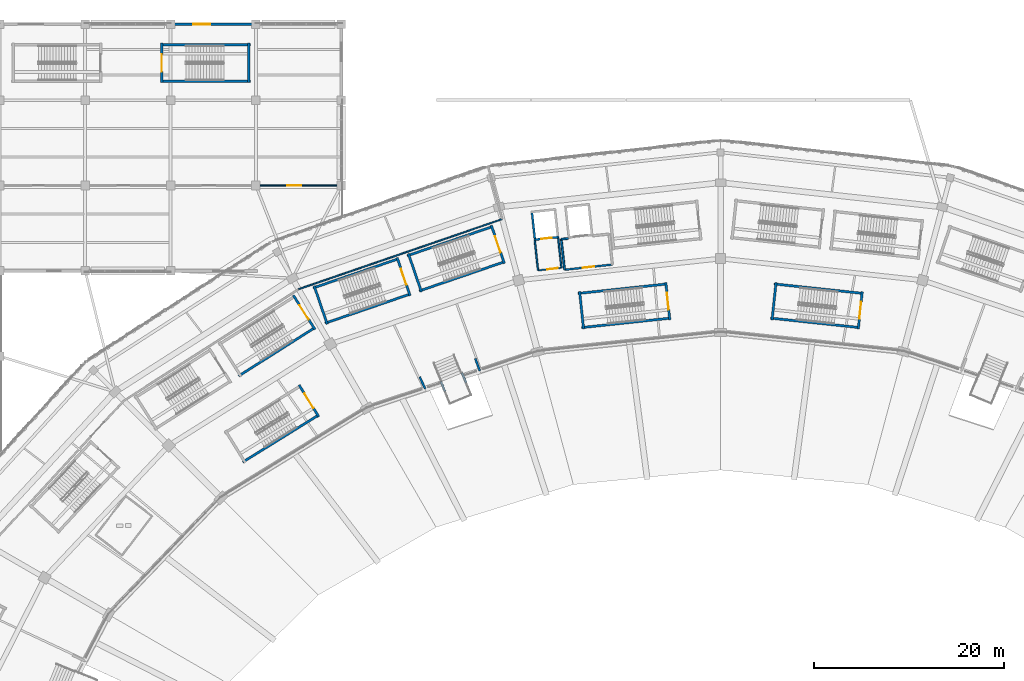
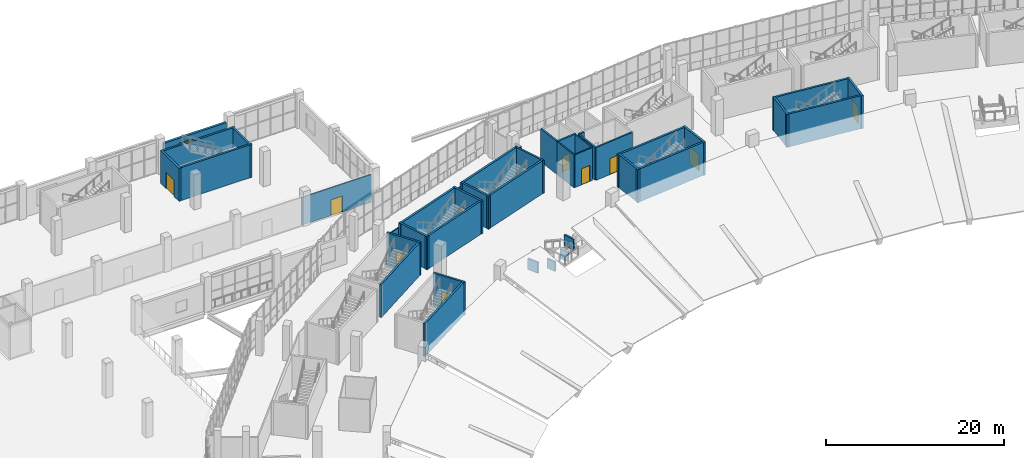
# One storey, part 109 of 183: 39 walls, 11 doors, 1 window, 12 openings.
"""IFC4 building model written with IfcOpenShell, lengths in metres."""

from ifc_helpers import new_model, si_unit, direction, frame, frame_2d, origin, place, context, subcontext, project, spatial, rectangle, extrude, material, layer, layer_set, type_object, element, fill, save


model = new_model("IFC4")

# Units and contexts
model_context = context("Model", 3, precision=1e-05, world=origin(), true_north=direction((0.0, 1.0)))
body_context = subcontext(model_context, "Body", "Model", "MODEL_VIEW")
ifc_project = project(units=[si_unit("LENGTHUNIT", "METRE"), si_unit("AREAUNIT", "SQUARE_METRE"), si_unit("VOLUMEUNIT", "CUBIC_METRE"), si_unit("PLANEANGLEUNIT", "RADIAN"), si_unit("MASSUNIT", "GRAM", prefix="KILO")], contexts=[model_context])

# Site, building, storey
site_placement = place(None, origin())
site = spatial("IfcSite", under=ifc_project, at=site_placement, CompositionType="ELEMENT")
building_placement = place(site_placement, origin())
building = spatial("IfcBuilding", under=site, at=building_placement, Name="Zevraka Park Crest Stadium", CompositionType="ELEMENT")
storey_placement = place(building_placement, frame((0.0, 0.0, 5.39990234375)))
storey = spatial("IfcBuildingStorey", under=building, at=storey_placement, Name="L01", CompositionType="ELEMENT", Elevation=5.39990234375)

# Wall, opening, window
ifc_material_1 = material(Name="Limestone and red clay brick masonry", Category="masonry")
ifc_layer_1 = layer(ifc_material_1, 0.300048828125)
ifc_layer_set_1 = layer_set([ifc_layer_1], Name="Limestone and red clay brick masonry")
wall_type_1 = type_object("IfcWallType", Name="EW02", PredefinedType="STANDARD", material=ifc_layer_set_1)
wall_1_placement = place(storey_placement, frame((54.425048828125, 184.0, 0.0), z_axis=(0.0, 0.0, 1.0), x_axis=(1.0, 0.0, 0.0)))
wall_1 = element("IfcWall", 1, at=wall_1_placement, inside=storey, type_object=wall_type_1, Name="Wing External Cavity Wall EW02 L01-NW-N-7", PredefinedType="STANDARD", context=body_context, shape_type="SweptSolid", body=[
    extrude(rectangle(XDim=8.14990234375, YDim=0.300048828125, at=frame_2d((4.074951171875, 0.0))), origin(), (0.0, 0.0, 1.0), 3.8037109375),
])
opening_1_placement = place(wall_1_placement, frame((1.952880859375, 0.0, 0.949951171875)))
opening_1 = element("IfcOpeningElement", 2, at=opening_1_placement, cuts=wall_1, Name="Opening WN01", PredefinedType="OPENING", context=body_context, shape_type="SweptSolid", body=[
    extrude(rectangle(XDim=1.800048828125, YDim=2.199951171875, at=frame_2d((0.89990234375, 1.10009765625))), frame((0.0, 0.159912109375, 0.0), z_axis=(0.0, -1.0, 0.0), x_axis=(1.0, 0.0, 0.0)), (0.0, 0.0, 1.0), 0.320068359375),
])
ifc_material_2 = material(Name="Solar-control laminated double glazing in aluminium frame", Category="aluminium")
window_type = type_object("IfcWindowType", Name="WN01", PartitioningType="SINGLE_PANEL", PredefinedType="WINDOW", material=ifc_material_2)
window_placement = place(opening_1_placement, origin())
window = element("IfcWindow", 3, at=window_placement, inside=storey, type_object=window_type, Name="Facade Casement Window WN01 W-L01-042", OverallHeight=2.199951171875, OverallWidth=1.800048828125, PartitioningType="SINGLE_PANEL", PredefinedType="WINDOW", context=body_context, shape_type="SweptSolid", body=[
    extrude(rectangle(XDim=1.800048828125, YDim=2.199951171875, at=frame_2d((0.89990234375, 1.10009765625))), frame((0.0, 0.030029296875, 0.0), z_axis=(0.0, -1.0, 0.0), x_axis=(1.0, 0.0, 0.0)), (0.0, 0.0, 1.0), 0.06005859375),
])
fill(opening_1, window)

# Walls
ifc_material_3 = material(Name="Autoclaved aerated masonry blockwork", Category="masonry")
ifc_layer_2 = layer(ifc_material_3, 0.199951171875)
ifc_layer_set_2 = layer_set([ifc_layer_2], Name="Autoclaved aerated masonry blockwork")
wall_type_2 = type_object("IfcWallType", Name="IW01", PredefinedType="PARTITIONING", material=ifc_layer_set_2)
wall_2_placement = place(storey_placement, frame((95.195068359375, 161.3349609375, 0.0), z_axis=(0.0, 0.0, 1.0), x_axis=(0.994146742738, 0.108038205757, 0.0)))
element("IfcWall", 4, at=wall_2_placement, inside=storey, type_object=wall_type_2, Name="Firefighting Lift Lobby Wall IW01 FL02 L01 BACKL", PredefinedType="PARTITIONING", context=body_context, shape_type="SweptSolid", body=[
    extrude(rectangle(XDim=0.750244140625, YDim=0.199951171875, at=frame_2d((0.375, 0.0))), origin(), (0.0, 0.0, 1.0), 4.5),
])
wall_3_placement = place(storey_placement, frame((95.195068359375, 161.3349609375, 0.0), z_axis=(0.0, 0.0, 1.0), x_axis=(0.108280975823, -0.994120329877, 0.0)))
element("IfcWall", 5, at=wall_3_placement, inside=storey, type_object=wall_type_2, Name="Firefighting Lift Lobby Wall IW01 FL02 L01 LEFT", PredefinedType="PARTITIONING", context=body_context, shape_type="SweptSolid", body=[
    extrude(rectangle(XDim=3.239990234375, YDim=0.199951171875, at=frame_2d((1.6201171875, 0.0))), origin(), (0.0, 0.0, 1.0), 4.5),
])

# Wall, opening, door
wall_4_placement = place(storey_placement, frame((95.5458984375, 158.114013671875, 0.0), z_axis=(0.0, 0.0, 1.0), x_axis=(0.994118117986, 0.108301281116, 0.0)))
wall_4 = element("IfcWall", 6, at=wall_4_placement, inside=storey, type_object=wall_type_2, Name="Firefighting Lift Lobby Wall IW01 FL02 L01 FRONT", PredefinedType="PARTITIONING", context=body_context, shape_type="SweptSolid", body=[
    extrude(rectangle(XDim=5.06982421875, YDim=0.199951171875, at=frame_2d((2.534912109375, 0.0))), origin(), (0.0, 0.0, 1.0), 4.5),
])
opening_2_placement = place(wall_4_placement, frame((1.909912109375, 0.0, 0.0)))
opening_2 = element("IfcOpeningElement", 7, at=opening_2_placement, cuts=wall_4, Name="Opening D-L01-296", PredefinedType="OPENING", context=body_context, shape_type="SweptSolid", body=[
    extrude(rectangle(XDim=1.25, YDim=2.199951171875, at=frame_2d((0.625, 1.10009765625))), frame((0.0, 0.10986328125, 0.0), z_axis=(0.0, -1.0, 0.0), x_axis=(1.0, 0.0, 0.0)), (0.0, 0.0, 1.0), 0.219970703125),
])
ifc_material_4 = material(Name="Solid-core hardwood timber leaf in steel frame", Category="steel")
door_type_1 = type_object("IfcDoorType", Name="DR07", OperationType="NOTDEFINED", PredefinedType="DOOR", material=ifc_material_4)
door_1_placement = place(opening_2_placement, origin())
door_1 = element("IfcDoor", 8, at=door_1_placement, inside=storey, type_object=door_type_1, Name="Firefighting Lift Lobby FL02 Door D-L01-296", OperationType="SINGLE_SWING_RIGHT", OverallHeight=2.199951171875, OverallWidth=1.25, PredefinedType="DOOR", context=body_context, shape_type="SweptSolid", body=[
    extrude(rectangle(XDim=1.25, YDim=2.199951171875, at=frame_2d((0.625, 1.10009765625))), frame((0.0, 0.02490234375, 0.0), z_axis=(0.0, -1.0, 0.0), x_axis=(1.0, 0.0, 0.0)), (0.0, 0.0, 1.0), 0.050048828125),
])
fill(opening_2, door_1)

# Walls
ifc_material_5 = material(Name="Fire-rated twin-stud acoustic drywall", Category="other")
ifc_layer_3 = layer(ifc_material_5, 0.159912109375)
ifc_layer_set_3 = layer_set([ifc_layer_3], Name="Fire-rated twin-stud acoustic drywall")
wall_type_3 = type_object("IfcWallType", Name="IW02", PredefinedType="PARTITIONING", material=ifc_layer_set_3)
wall_5_placement = place(storey_placement, frame((92.403076171875, 161.200927734375, 0.0), z_axis=(0.0, 0.0, 1.0), x_axis=(0.108800302456, -0.99406362683, 0.0)))
element("IfcWall", 9, at=wall_5_placement, inside=storey, type_object=wall_type_3, Name="Passenger Lift Lobby Wall IW02 PL02 L01 LEFT", PredefinedType="PARTITIONING", context=body_context, shape_type="SweptSolid", body=[
    extrude(rectangle(XDim=3.170654296875, YDim=0.159912109375, at=frame_2d((1.58544921875, 0.0))), origin(), (0.0, 0.0, 1.0), 4.5),
])
wall_6_placement = place(storey_placement, frame((94.868896484375, 161.469970703125, 0.0), z_axis=(0.0, 0.0, 1.0), x_axis=(0.108909733757, -0.994051643474, 0.0)))
element("IfcWall", 10, at=wall_6_placement, inside=storey, type_object=wall_type_3, Name="Passenger Lift Lobby Wall IW02 PL02 L01 RIGHT", PredefinedType="PARTITIONING", context=body_context, shape_type="SweptSolid", body=[
    extrude(rectangle(XDim=3.169677734375, YDim=0.159912109375, at=frame_2d((1.5849609375, 0.0))), origin(), (0.0, 0.0, 1.0), 4.5),
])

# Wall, opening, door
wall_7_placement = place(storey_placement, frame((92.748046875, 158.049072265625, 0.0), z_axis=(0.0, 0.0, 1.0), x_axis=(0.994058887757, 0.1088435927, 0.0)))
wall_7 = element("IfcWall", 11, at=wall_7_placement, inside=storey, type_object=wall_type_3, Name="Passenger Lift Lobby Wall IW02 PL02 L01 FRONT", PredefinedType="PARTITIONING", context=body_context, shape_type="SweptSolid", body=[
    extrude(rectangle(XDim=2.480712890625, YDim=0.159912109375, at=frame_2d((1.240234375, 0.0))), origin(), (0.0, 0.0, 1.0), 4.5),
])
opening_3_placement = place(wall_7_placement, frame((0.962890625, 0.0, 0.0)))
opening_3 = element("IfcOpeningElement", 12, at=opening_3_placement, cuts=wall_7, Name="Opening D-L01-302", PredefinedType="OPENING", context=body_context, shape_type="SweptSolid", body=[
    extrude(rectangle(XDim=1.14990234375, YDim=2.199951171875, at=frame_2d((0.574951171875, 1.10009765625))), frame((0.0, 0.08984375, 0.0), z_axis=(0.0, -1.0, 0.0), x_axis=(1.0, 0.0, 0.0)), (0.0, 0.0, 1.0), 0.179931640625),
])
ifc_material_6 = material(Name="Solid-core hardwood timber leaf in steel frame", Category="steel")
door_type_2 = type_object("IfcDoorType", Name="DR03", OperationType="NOTDEFINED", PredefinedType="DOOR", material=ifc_material_6)
door_2_placement = place(opening_3_placement, origin())
door_2 = element("IfcDoor", 13, at=door_2_placement, inside=storey, type_object=door_type_2, Name="Passenger Lift Lobby PL02 Door D-L01-302", OperationType="SINGLE_SWING_RIGHT", OverallHeight=2.199951171875, OverallWidth=1.14990234375, PredefinedType="DOOR", context=body_context, shape_type="SweptSolid", body=[
    extrude(rectangle(XDim=1.14990234375, YDim=2.199951171875, at=frame_2d((0.574951171875, 1.10009765625))), frame((0.0, 0.02490234375, 0.0), z_axis=(0.0, -1.0, 0.0), x_axis=(1.0, 0.0, 0.0)), (0.0, 0.0, 1.0), 0.050048828125),
])
fill(opening_3, door_2)

# Wall
ifc_material_7 = material(Name="Fire-rated twin-stud acoustic drywall", Category="other")
ifc_layer_4 = layer(ifc_material_7, 0.139892578125)
ifc_layer_set_4 = layer_set([ifc_layer_4], Name="Fire-rated twin-stud acoustic drywall")
wall_type_4 = type_object("IfcWallType", Name="IW03", PredefinedType="PARTITIONING", material=ifc_layer_set_4)
wall_8_placement = place(storey_placement, frame((88.969970703125, 163.458984375, 0.0), z_axis=(0.0, 0.0, 1.0), x_axis=(-0.945509956828, -0.32559318411, 0.0)))
element("IfcWall", 14, at=wall_8_placement, inside=storey, type_object=wall_type_4, Name="Interior Partition IW03 Food and Beverage Concession Hall L01", PredefinedType="PARTITIONING", context=body_context, shape_type="SweptSolid", body=[
    extrude(rectangle(XDim=22.69677734375, YDim=0.139892578125, at=frame_2d((11.348388671875, 0.0))), origin(), (0.0, 0.0, 1.0), 3.6650390625),
])

# Wall, opening, door
wall_9_placement = place(storey_placement, frame((62.550048828125, 167.0, 0.0), z_axis=(0.0, 0.0, 1.0), x_axis=(1.0, 0.0, 0.0)))
wall_9 = element("IfcWall", 15, at=wall_9_placement, inside=storey, type_object=wall_type_4, Name="Interior Partition IW03 Sports Heritage Exhibition Gallery L01", PredefinedType="PARTITIONING", context=body_context, shape_type="SweptSolid", body=[
    extrude(rectangle(XDim=9.014892578125, YDim=0.139892578125, at=frame_2d((4.50732421875, 0.0))), origin(), (0.0, 0.0, 1.0), 3.8037109375),
])
opening_4_placement = place(wall_9_placement, frame((3.758056640625, 0.0, 0.0)))
opening_4 = element("IfcOpeningElement", 16, at=opening_4_placement, cuts=wall_9, Name="Opening D-L01-390", PredefinedType="OPENING", context=body_context, shape_type="SweptSolid", body=[
    extrude(rectangle(XDim=1.5, YDim=2.14990234375, at=frame_2d((0.75, 1.074951171875))), frame((0.0, 0.079833984375, 0.0), z_axis=(0.0, -1.0, 0.0), x_axis=(1.0, 0.0, 0.0)), (0.0, 0.0, 1.0), 0.159912109375),
])
ifc_material_8 = material(Name="Solid-core hardwood timber leaf in steel frame", Category="steel")
door_type_3 = type_object("IfcDoorType", Name="DR13", OperationType="NOTDEFINED", PredefinedType="DOOR", material=ifc_material_8)
door_3_placement = place(opening_4_placement, origin())
door_3 = element("IfcDoor", 17, at=door_3_placement, inside=storey, type_object=door_type_3, Name="Sports Heritage Exhibition Gallery Door D-L01-390", OperationType="DOUBLE_DOOR_SINGLE_SWING", OverallHeight=2.14990234375, OverallWidth=1.5, PredefinedType="DOOR", context=body_context, shape_type="SweptSolid", body=[
    extrude(rectangle(XDim=1.5, YDim=2.14990234375, at=frame_2d((0.75, 1.074951171875))), frame((0.0, 0.02490234375, 0.0), z_axis=(0.0, -1.0, 0.0), x_axis=(1.0, 0.0, 0.0)), (0.0, 0.0, 1.0), 0.050048828125),
])
fill(opening_4, door_3)

# Walls
ifc_material_9 = material(Name="Concrete C40/50", Category="concrete")
ifc_layer_5 = layer(ifc_material_9, 0.25)
ifc_layer_set_5 = layer_set([ifc_layer_5], Name="Concrete C40/50")
wall_type_5 = type_object("IfcWallType", Name="SW01", PredefinedType="SHEAR", material=ifc_layer_set_5)
wall_10_placement = place(storey_placement, frame((87.99267578125, 162.685791015625, 0.0), z_axis=(0.0, 0.0, 1.0), x_axis=(-0.946064424228, -0.323978556712, 0.0)))
element("IfcWall", 18, at=wall_10_placement, inside=storey, type_object=wall_type_5, Name="Stair Core Shear Wall SW01 ST08 L01 left", PredefinedType="SHEAR", context=body_context, shape_type="SweptSolid", body=[
    extrude(rectangle(XDim=9.550048828125, YDim=0.25, at=frame_2d((4.77490234375, 0.0))), origin(), (0.0, 0.0, 1.0), 4.52001953125),
])
wall_11_placement = place(storey_placement, frame((80.2275390625, 155.883056640625, 0.0), z_axis=(0.0, 0.0, 1.0), x_axis=(0.946067107432, 0.323970721263, 0.0)))
element("IfcWall", 19, at=wall_11_placement, inside=storey, type_object=wall_type_5, Name="Stair Core Shear Wall SW01 ST08 L01 right", PredefinedType="SHEAR", context=body_context, shape_type="SweptSolid", body=[
    extrude(rectangle(XDim=9.55029296875, YDim=0.25, at=frame_2d((4.775146484375, 0.0))), origin(), (0.0, 0.0, 1.0), 4.52001953125),
])

# Wall, opening, door
wall_12_placement = place(storey_placement, frame((89.199462890625, 158.77587890625, 0.0), z_axis=(0.0, 0.0, 1.0), x_axis=(-0.323988758717, 0.946060930504, 0.0)))
wall_12 = element("IfcWall", 20, at=wall_12_placement, inside=storey, type_object=wall_type_5, Name="Stair Core Shear Wall SW01 ST08 L01 near", PredefinedType="SHEAR", context=body_context, shape_type="SweptSolid", body=[
    extrude(rectangle(XDim=4.259765625, YDim=0.25, at=frame_2d((2.1298828125, 0.0))), origin(), (0.0, 0.0, 1.0), 4.52001953125),
])
opening_5_placement = place(wall_12_placement, frame((1.22998046875, 0.0, 0.0)))
opening_5 = element("IfcOpeningElement", 21, at=opening_5_placement, cuts=wall_12, Name="Opening D-L01-046", PredefinedType="OPENING", context=body_context, shape_type="SweptSolid", body=[
    extrude(rectangle(XDim=1.800048828125, YDim=2.25, at=frame_2d((0.89990234375, 1.125))), frame((0.0, 0.135009765625, 0.0), z_axis=(0.0, -1.0, 0.0), x_axis=(1.0, 0.0, 0.0)), (0.0, 0.0, 1.0), 0.27001953125),
])
ifc_material_10 = material(Name="Solid-core hardwood timber leaf in steel frame", Category="steel")
door_type_4 = type_object("IfcDoorType", Name="DR04", OperationType="NOTDEFINED", PredefinedType="DOOR", material=ifc_material_10)
door_4_placement = place(opening_5_placement, origin())
door_4 = element("IfcDoor", 22, at=door_4_placement, inside=storey, type_object=door_type_4, Name="Protected Stair Entry Door ST08 L01", OperationType="DOUBLE_DOOR_SINGLE_SWING", OverallHeight=2.25, OverallWidth=1.800048828125, PredefinedType="DOOR", context=body_context, shape_type="SweptSolid", body=[
    extrude(rectangle(XDim=1.800048828125, YDim=2.25, at=frame_2d((0.89990234375, 1.125))), frame((0.0, 0.02490234375, 0.0), z_axis=(0.0, -1.0, 0.0), x_axis=(1.0, 0.0, 0.0)), (0.0, 0.0, 1.0), 0.050048828125),
])
fill(opening_5, door_4)

# Walls
wall_13_placement = place(storey_placement, frame((79.07763671875, 159.8125, 0.0), z_axis=(0.0, 0.0, 1.0), x_axis=(0.323971192516, -0.946066946056, 0.0)))
element("IfcWall", 23, at=wall_13_placement, inside=storey, type_object=wall_type_5, Name="Stair Core Shear Wall SW01 ST08 L01 far", PredefinedType="SHEAR", context=body_context, shape_type="SweptSolid", body=[
    extrude(rectangle(XDim=4.260009765625, YDim=0.25, at=frame_2d((2.1298828125, 0.0))), origin(), (0.0, 0.0, 1.0), 4.52001953125),
])
wall_14_placement = place(storey_placement, frame((61.183349609375, 146.917236328125, 0.0), z_axis=(0.0, 0.0, 1.0), x_axis=(0.844391246241, 0.535727004427, 0.0)))
element("IfcWall", 24, at=wall_14_placement, inside=storey, type_object=wall_type_5, Name="Stair Core Shear Wall SW01 ST09 L01 right", PredefinedType="SHEAR", context=body_context, shape_type="SweptSolid", body=[
    extrude(rectangle(XDim=9.550048828125, YDim=0.25, at=frame_2d((4.77490234375, 0.0))), origin(), (0.0, 0.0, 1.0), 4.52001953125),
])

# Wall, opening, door
wall_15_placement = place(storey_placement, frame((69.232666015625, 151.822998046875, 0.0), z_axis=(0.0, 0.0, 1.0), x_axis=(-0.535684577572, 0.844418162613, 0.0)))
wall_15 = element("IfcWall", 25, at=wall_15_placement, inside=storey, type_object=wall_type_5, Name="Stair Core Shear Wall SW01 ST09 L01 near", PredefinedType="SHEAR", context=body_context, shape_type="SweptSolid", body=[
    extrude(rectangle(XDim=4.260009765625, YDim=0.25, at=frame_2d((2.1298828125, 0.0))), origin(), (0.0, 0.0, 1.0), 4.52001953125),
])
opening_6_placement = place(wall_15_placement, frame((1.22998046875, 0.0, 0.0)))
opening_6 = element("IfcOpeningElement", 26, at=opening_6_placement, cuts=wall_15, Name="Opening D-L01-053", PredefinedType="OPENING", context=body_context, shape_type="SweptSolid", body=[
    extrude(rectangle(XDim=1.800048828125, YDim=2.25, at=frame_2d((0.89990234375, 1.125))), frame((0.0, 0.135009765625, 0.0), z_axis=(0.0, -1.0, 0.0), x_axis=(1.0, 0.0, 0.0)), (0.0, 0.0, 1.0), 0.27001953125),
])
door_5_placement = place(opening_6_placement, origin())
door_5 = element("IfcDoor", 27, at=door_5_placement, inside=storey, type_object=door_type_4, Name="Protected Stair Entry Door ST09 L01", OperationType="DOUBLE_DOOR_SINGLE_SWING", OverallHeight=2.25, OverallWidth=1.800048828125, PredefinedType="DOOR", context=body_context, shape_type="SweptSolid", body=[
    extrude(rectangle(XDim=1.800048828125, YDim=2.25, at=frame_2d((0.89990234375, 1.125))), frame((0.0, 0.02490234375, 0.0), z_axis=(0.0, -1.0, 0.0), x_axis=(1.0, 0.0, 0.0)), (0.0, 0.0, 1.0), 0.050048828125),
])
fill(opening_6, door_5)

# Walls
for number, where, z_axis, x_axis, name in (
    (28, (78.05859375, 159.28466796875, 0.0), (0.0, 0.0, 1.0), (-0.946064424228, -0.323978556712, 0.0), "Stair Core Shear Wall SW01 ST27 L01 left"),
    (29, (70.293701171875, 152.482177734375, 0.0), (0.0, 0.0, 1.0), (0.946064424228, 0.323978556712, 0.0), "Stair Core Shear Wall SW01 ST27 L01 right"),
):
    element("IfcWall", number, at=place(storey_placement, frame(where, z_axis=z_axis, x_axis=x_axis)), inside=storey, type_object=wall_type_5, Name=name, PredefinedType="SHEAR", context=body_context, shape_type="SweptSolid", body=[
        extrude(rectangle(XDim=9.550048828125, YDim=0.25, at=frame_2d((4.77490234375, 0.0))), origin(), (0.0, 0.0, 1.0), 4.52001953125),
    ])

# Wall, opening, door
wall_16_placement = place(storey_placement, frame((79.265380859375, 155.374755859375, 0.0), z_axis=(0.0, 0.0, 1.0), x_axis=(-0.323971192516, 0.946066946056, 0.0)))
wall_16 = element("IfcWall", 30, at=wall_16_placement, inside=storey, type_object=wall_type_5, Name="Stair Core Shear Wall SW01 ST27 L01 near", PredefinedType="SHEAR", context=body_context, shape_type="SweptSolid", body=[
    extrude(rectangle(XDim=4.260009765625, YDim=0.25, at=frame_2d((2.1298828125, 0.0))), origin(), (0.0, 0.0, 1.0), 4.52001953125),
])
opening_7_placement = place(wall_16_placement, frame((1.22998046875, 0.0, 0.0)))
opening_7 = element("IfcOpeningElement", 31, at=opening_7_placement, cuts=wall_16, Name="Opening D-L01-157", PredefinedType="OPENING", context=body_context, shape_type="SweptSolid", body=[
    extrude(rectangle(XDim=1.800048828125, YDim=2.25, at=frame_2d((0.89990234375, 1.125))), frame((0.0, 0.135009765625, 0.0), z_axis=(0.0, -1.0, 0.0), x_axis=(1.0, 0.0, 0.0)), (0.0, 0.0, 1.0), 0.27001953125),
])
door_6_placement = place(opening_7_placement, origin())
door_6 = element("IfcDoor", 32, at=door_6_placement, inside=storey, type_object=door_type_4, Name="Protected Stair Entry Door ST27 L01", OperationType="DOUBLE_DOOR_SINGLE_SWING", OverallHeight=2.25, OverallWidth=1.800048828125, PredefinedType="DOOR", context=body_context, shape_type="SweptSolid", body=[
    extrude(rectangle(XDim=1.800048828125, YDim=2.25, at=frame_2d((0.89990234375, 1.125))), frame((0.0, 0.02490234375, 0.0), z_axis=(0.0, -1.0, 0.0), x_axis=(1.0, 0.0, 0.0)), (0.0, 0.0, 1.0), 0.050048828125),
])
fill(opening_7, door_6)

# Walls
wall_17_placement = place(storey_placement, frame((69.1435546875, 156.411376953125, 0.0), z_axis=(0.0, 0.0, 1.0), x_axis=(0.323988758717, -0.946060930504, 0.0)))
element("IfcWall", 33, at=wall_17_placement, inside=storey, type_object=wall_type_5, Name="Stair Core Shear Wall SW01 ST27 L01 far", PredefinedType="SHEAR", context=body_context, shape_type="SweptSolid", body=[
    extrude(rectangle(XDim=4.259765625, YDim=0.25, at=frame_2d((2.1298828125, 0.0))), origin(), (0.0, 0.0, 1.0), 4.52001953125),
])
for number, where, z_axis, x_axis, name in (
    (34, (127.0361328125, 155.6201171875, 0.0), (0.0, 0.0, 1.0), (-0.994382608826, 0.105845298736, 0.0), "Stair Core Shear Wall SW01 ST35 L01 left"),
    (35, (117.255859375, 153.020751953125, 0.0), (0.0, 0.0, 1.0), (0.994382608826, -0.105845298736, 0.0), "Stair Core Shear Wall SW01 ST35 L01 right"),
):
    element("IfcWall", number, at=place(storey_placement, frame(where, z_axis=z_axis, x_axis=x_axis)), inside=storey, type_object=wall_type_5, Name=name, PredefinedType="SHEAR", context=body_context, shape_type="SweptSolid", body=[
        extrude(rectangle(XDim=9.449951171875, YDim=0.25, at=frame_2d((4.72509765625, 0.0))), origin(), (0.0, 0.0, 1.0), 4.52001953125),
    ])

# Wall, opening, door
wall_18_placement = place(storey_placement, frame((126.510498046875, 151.864501953125, 0.0), z_axis=(0.0, 0.0, 1.0), x_axis=(0.105856095603, 0.994381459513, 0.0)))
wall_18 = element("IfcWall", 36, at=wall_18_placement, inside=storey, type_object=wall_type_5, Name="Stair Core Shear Wall SW01 ST35 L01 near", PredefinedType="SHEAR", context=body_context, shape_type="SweptSolid", body=[
    extrude(rectangle(XDim=3.9599609375, YDim=0.25, at=frame_2d((1.97998046875, 0.0))), origin(), (0.0, 0.0, 1.0), 4.52001953125),
])
opening_8_placement = place(wall_18_placement, frame((1.080078125, 0.0, 0.0)))
opening_8 = element("IfcOpeningElement", 37, at=opening_8_placement, cuts=wall_18, Name="Opening D-L01-195", PredefinedType="OPENING", context=body_context, shape_type="SweptSolid", body=[
    extrude(rectangle(XDim=1.800048828125, YDim=2.25, at=frame_2d((0.89990234375, 1.125))), frame((0.0, 0.135009765625, 0.0), z_axis=(0.0, -1.0, 0.0), x_axis=(1.0, 0.0, 0.0)), (0.0, 0.0, 1.0), 0.27001953125),
])
door_7_placement = place(opening_8_placement, origin())
door_7 = element("IfcDoor", 38, at=door_7_placement, inside=storey, type_object=door_type_4, Name="Protected Stair Entry Door ST35 L01", OperationType="DOUBLE_DOOR_SINGLE_SWING", OverallHeight=2.25, OverallWidth=1.800048828125, PredefinedType="DOOR", context=body_context, shape_type="SweptSolid", body=[
    extrude(rectangle(XDim=1.800048828125, YDim=2.25, at=frame_2d((0.89990234375, 1.125))), frame((0.0, 0.02490234375, 0.0), z_axis=(0.0, -1.0, 0.0), x_axis=(1.0, 0.0, 0.0)), (0.0, 0.0, 1.0), 0.050048828125),
])
fill(opening_8, door_7)

# Walls
wall_19_placement = place(storey_placement, frame((117.841064453125, 156.769775390625, 0.0), z_axis=(0.0, 0.0, 1.0), x_axis=(-0.105856095603, -0.994381459513, 0.0)))
element("IfcWall", 39, at=wall_19_placement, inside=storey, type_object=wall_type_5, Name="Stair Core Shear Wall SW01 ST35 L01 far", PredefinedType="SHEAR", context=body_context, shape_type="SweptSolid", body=[
    extrude(rectangle(XDim=3.9599609375, YDim=0.25, at=frame_2d((1.97998046875, 0.0))), origin(), (0.0, 0.0, 1.0), 4.52001953125),
])
wall_20_placement = place(storey_placement, frame((106.361083984375, 156.6201171875, 0.0), z_axis=(0.0, 0.0, 1.0), x_axis=(-0.994379889371, -0.105870844028, 0.0)))
element("IfcWall", 40, at=wall_20_placement, inside=storey, type_object=wall_type_5, Name="Stair Core Shear Wall SW01 ST36 L01 left", PredefinedType="SHEAR", context=body_context, shape_type="SweptSolid", body=[
    extrude(rectangle(XDim=9.4501953125, YDim=0.25, at=frame_2d((4.72509765625, 0.0))), origin(), (0.0, 0.0, 1.0), 4.52001953125),
])
wall_21_placement = place(storey_placement, frame((97.347412109375, 152.02001953125, 0.0), z_axis=(0.0, 0.0, 1.0), x_axis=(0.994382608826, 0.105845298736, 0.0)))
element("IfcWall", 41, at=wall_21_placement, inside=storey, type_object=wall_type_5, Name="Stair Core Shear Wall SW01 ST36 L01 right", PredefinedType="SHEAR", context=body_context, shape_type="SweptSolid", body=[
    extrude(rectangle(XDim=9.449951171875, YDim=0.25, at=frame_2d((4.72509765625, 0.0))), origin(), (0.0, 0.0, 1.0), 4.52001953125),
])

# Wall, opening, door
wall_22_placement = place(storey_placement, frame((106.637939453125, 152.838134765625, 0.0), z_axis=(0.0, 0.0, 1.0), x_axis=(-0.105856095603, 0.994381459513, 0.0)))
wall_22 = element("IfcWall", 42, at=wall_22_placement, inside=storey, type_object=wall_type_5, Name="Stair Core Shear Wall SW01 ST36 L01 near", PredefinedType="SHEAR", context=body_context, shape_type="SweptSolid", body=[
    extrude(rectangle(XDim=3.9599609375, YDim=0.25, at=frame_2d((1.97998046875, 0.0))), origin(), (0.0, 0.0, 1.0), 4.52001953125),
])
opening_9_placement = place(wall_22_placement, frame((1.080078125, 0.0, 0.0)))
opening_9 = element("IfcOpeningElement", 43, at=opening_9_placement, cuts=wall_22, Name="Opening D-L01-199", PredefinedType="OPENING", context=body_context, shape_type="SweptSolid", body=[
    extrude(rectangle(XDim=1.800048828125, YDim=2.25, at=frame_2d((0.89990234375, 1.125))), frame((0.0, 0.135009765625, 0.0), z_axis=(0.0, -1.0, 0.0), x_axis=(1.0, 0.0, 0.0)), (0.0, 0.0, 1.0), 0.27001953125),
])
door_8_placement = place(opening_9_placement, origin())
door_8 = element("IfcDoor", 44, at=door_8_placement, inside=storey, type_object=door_type_4, Name="Protected Stair Entry Door ST36 L01", OperationType="DOUBLE_DOOR_SINGLE_SWING", OverallHeight=2.25, OverallWidth=1.800048828125, PredefinedType="DOOR", context=body_context, shape_type="SweptSolid", body=[
    extrude(rectangle(XDim=1.800048828125, YDim=2.25, at=frame_2d((0.89990234375, 1.125))), frame((0.0, 0.02490234375, 0.0), z_axis=(0.0, -1.0, 0.0), x_axis=(1.0, 0.0, 0.0)), (0.0, 0.0, 1.0), 0.050048828125),
])
fill(opening_9, door_8)

# Walls
wall_23_placement = place(storey_placement, frame((97.130126953125, 155.808349609375, 0.0), z_axis=(0.0, 0.0, 1.0), x_axis=(0.105856095603, -0.994381459513, 0.0)))
element("IfcWall", 45, at=wall_23_placement, inside=storey, type_object=wall_type_5, Name="Stair Core Shear Wall SW01 ST36 L01 far", PredefinedType="SHEAR", context=body_context, shape_type="SweptSolid", body=[
    extrude(rectangle(XDim=3.9599609375, YDim=0.25, at=frame_2d((1.97998046875, 0.0))), origin(), (0.0, 0.0, 1.0), 4.52001953125),
])
wall_24_placement = place(storey_placement, frame((61.621337890625, 137.840087890625, 0.0), z_axis=(0.0, 0.0, 1.0), x_axis=(0.849684869763, 0.527290832554, 0.0)))
element("IfcWall", 46, at=wall_24_placement, inside=storey, type_object=wall_type_5, Name="Stair Core Shear Wall SW01 ST37 L01 right", PredefinedType="SHEAR", context=body_context, shape_type="SweptSolid", body=[
    extrude(rectangle(XDim=9.449951171875, YDim=0.25, at=frame_2d((4.72509765625, 0.0))), origin(), (0.0, 0.0, 1.0), 4.52001953125),
])

# Wall, opening, door
wall_25_placement = place(storey_placement, frame((69.634521484375, 142.612548828125, 0.0), z_axis=(0.0, 0.0, 1.0), x_axis=(-0.527303008499, 0.849677313589, 0.0)))
wall_25 = element("IfcWall", 47, at=wall_25_placement, inside=storey, type_object=wall_type_5, Name="Stair Core Shear Wall SW01 ST37 L01 near", PredefinedType="SHEAR", context=body_context, shape_type="SweptSolid", body=[
    extrude(rectangle(XDim=3.9599609375, YDim=0.25, at=frame_2d((1.97998046875, 0.0))), origin(), (0.0, 0.0, 1.0), 4.52001953125),
])
opening_10_placement = place(wall_25_placement, frame((1.080078125, 0.0, 0.0)))
opening_10 = element("IfcOpeningElement", 48, at=opening_10_placement, cuts=wall_25, Name="Opening D-L01-203", PredefinedType="OPENING", context=body_context, shape_type="SweptSolid", body=[
    extrude(rectangle(XDim=1.800048828125, YDim=2.25, at=frame_2d((0.89990234375, 1.125))), frame((0.0, 0.135009765625, 0.0), z_axis=(0.0, -1.0, 0.0), x_axis=(1.0, 0.0, 0.0)), (0.0, 0.0, 1.0), 0.27001953125),
])
door_9_placement = place(opening_10_placement, origin())
door_9 = element("IfcDoor", 49, at=door_9_placement, inside=storey, type_object=door_type_4, Name="Protected Stair Entry Door ST37 L01", OperationType="DOUBLE_DOOR_SINGLE_SWING", OverallHeight=2.25, OverallWidth=1.800048828125, PredefinedType="DOOR", context=body_context, shape_type="SweptSolid", body=[
    extrude(rectangle(XDim=1.800048828125, YDim=2.25, at=frame_2d((0.89990234375, 1.125))), frame((0.0, 0.02490234375, 0.0), z_axis=(0.0, -1.0, 0.0), x_axis=(1.0, 0.0, 0.0)), (0.0, 0.0, 1.0), 0.050048828125),
])
fill(opening_10, door_9)

# Walls
for number, where, z_axis, x_axis, name in (
    (50, (52.949951171875, 178.010009765625, 0.0), (0.0, 0.0, 1.0), (1.0, 0.0, 0.0), "Stair Core Shear Wall SW01 ST50 L01 left"),
    (51, (62.449951171875, 181.830078125, 0.0), (0.0, 0.0, 1.0), (-1.0, 0.0, 0.0), "Stair Core Shear Wall SW01 ST50 L01 right"),
):
    element("IfcWall", number, at=place(storey_placement, frame(where, z_axis=z_axis, x_axis=x_axis)), inside=storey, type_object=wall_type_5, Name=name, PredefinedType="SHEAR", context=body_context, shape_type="SweptSolid", body=[
        extrude(rectangle(XDim=9.5, YDim=0.25, at=frame_2d((4.75, 0.0))), origin(), (0.0, 0.0, 1.0), 4.52001953125),
    ])

# Wall, opening, door
wall_26_placement = place(storey_placement, frame((53.074951171875, 182.0, 0.0), z_axis=(0.0, 0.0, 1.0), x_axis=(0.0, -1.0, 0.0)))
wall_26 = element("IfcWall", 52, at=wall_26_placement, inside=storey, type_object=wall_type_5, Name="Stair Core Shear Wall SW01 ST50 L01 near", PredefinedType="SHEAR", context=body_context, shape_type="SweptSolid", body=[
    extrude(rectangle(XDim=4.159912109375, YDim=0.25, at=frame_2d((2.080078125, 0.0))), origin(), (0.0, 0.0, 1.0), 4.52001953125),
])
opening_11_placement = place(wall_26_placement, frame((1.179931640625, 0.0, 0.0)))
opening_11 = element("IfcOpeningElement", 53, at=opening_11_placement, cuts=wall_26, Name="Opening D-L01-260", PredefinedType="OPENING", context=body_context, shape_type="SweptSolid", body=[
    extrude(rectangle(XDim=1.800048828125, YDim=2.25, at=frame_2d((0.89990234375, 1.125))), frame((0.0, 0.135009765625, 0.0), z_axis=(0.0, -1.0, 0.0), x_axis=(1.0, 0.0, 0.0)), (0.0, 0.0, 1.0), 0.27001953125),
])
door_10_placement = place(opening_11_placement, origin())
door_10 = element("IfcDoor", 54, at=door_10_placement, inside=storey, type_object=door_type_4, Name="Protected Stair Entry Door ST50 L01", OperationType="DOUBLE_DOOR_SINGLE_SWING", OverallHeight=2.25, OverallWidth=1.800048828125, PredefinedType="DOOR", context=body_context, shape_type="SweptSolid", body=[
    extrude(rectangle(XDim=1.800048828125, YDim=2.25, at=frame_2d((0.89990234375, 1.125))), frame((0.0, 0.02490234375, 0.0), z_axis=(0.0, -1.0, 0.0), x_axis=(1.0, 0.0, 0.0)), (0.0, 0.0, 1.0), 0.050048828125),
])
fill(opening_11, door_10)

# Walls
wall_27_placement = place(storey_placement, frame((62.264892578125, 177.840087890625, 0.0), z_axis=(0.0, 0.0, 1.0), x_axis=(0.0, 1.0, 0.0)))
element("IfcWall", 55, at=wall_27_placement, inside=storey, type_object=wall_type_5, Name="Stair Core Shear Wall SW01 ST50 L01 far", PredefinedType="SHEAR", context=body_context, shape_type="SweptSolid", body=[
    extrude(rectangle(XDim=4.159912109375, YDim=0.25, at=frame_2d((2.080078125, 0.0))), origin(), (0.0, 0.0, 1.0), 4.52001953125),
])
ifc_material_11 = material(Name="Concrete C40/50", Category="concrete")
ifc_layer_6 = layer(ifc_material_11, 0.219970703125)
ifc_layer_set_6 = layer_set([ifc_layer_6], Name="Concrete C40/50")
wall_type_6 = type_object("IfcWallType", Name="SW02", PredefinedType="SHEAR", material=ifc_layer_set_6)
for number, where, z_axis, x_axis, name in (
    (56, (86.60888671875, 147.451904296875, 0.0), (0.0, 0.0, 1.0), (-0.343450269648, 0.939170864262, 0.0), "Vomitory Portal Raker Pier Wall SW02 07-1"),
    (57, (80.85888671875, 145.550048828125, 0.0), (0.0, 0.0, 1.0), (-0.421223998033, 0.906956638148, 0.0), "Vomitory Portal Raker Pier Wall SW02 07-2"),
):
    element("IfcWall", number, at=place(storey_placement, frame(where, z_axis=z_axis, x_axis=x_axis)), inside=storey, type_object=wall_type_6, Name=name, PredefinedType="SHEAR", context=body_context, shape_type="SweptSolid", body=[
        extrude(rectangle(XDim=1.400390625, YDim=0.219970703125, at=frame_2d((0.7001953125, 0.0))), origin(), (0.0, 0.0, 1.0), 1.510009765625),
    ])
for number, where, z_axis, x_axis, name in (
    (58, (82.5009765625, 146.342041015625, -0.2998046875), (0.0, 0.0, 1.0), (0.382769136873, -0.923844027884, 0.0), "Vomitory Portal Support Wall SW02 VS-03-1"),
    (59, (84.718994140625, 147.260009765625, -0.2998046875), (0.0, 0.0, 1.0), (0.382769136873, -0.923844027884, 0.0), "Vomitory Portal Support Wall SW02 VS-03-2"),
):
    element("IfcWall", number, at=place(storey_placement, frame(where, z_axis=z_axis, x_axis=x_axis)), inside=storey, type_object=wall_type_6, Name=name, PredefinedType="SHEAR", context=body_context, shape_type="SweptSolid", body=[
        extrude(rectangle(XDim=1.13671875, YDim=0.219970703125, at=frame_2d((0.568359375, 0.0))), origin(), (0.0, 0.0, 1.0), 1.31982421875),
    ])
wall_28_placement = place(storey_placement, frame((92.094970703125, 164.304931640625, 0.0), z_axis=(0.0, 0.0, 1.0), x_axis=(0.108638937738, -0.99408127495, 0.0)))
element("IfcWall", 60, at=wall_28_placement, inside=storey, type_object=wall_type_6, Name="Lift Shaft Shear Wall SW02 PL02 L01-2", PredefinedType="SHEAR", context=body_context, shape_type="SweptSolid", body=[
    extrude(rectangle(XDim=3.139404296875, YDim=0.219970703125, at=frame_2d((1.56982421875, 0.0))), origin(), (0.0, 0.0, 1.0), 4.52001953125),
])

# Wall, opening, door
wall_29_placement = place(storey_placement, frame((92.31494140625, 161.281005859375, 0.0), z_axis=(0.0, 0.0, 1.0), x_axis=(0.994062938508, 0.108806591184, 0.0)))
wall_29 = element("IfcWall", 61, at=wall_29_placement, inside=storey, type_object=wall_type_6, Name="Lift Shaft Shear Wall SW02 PL02 L01-3", PredefinedType="SHEAR", context=body_context, shape_type="SweptSolid", body=[
    extrude(rectangle(XDim=2.638671875, YDim=0.219970703125, at=frame_2d((1.3193359375, 0.0))), origin(), (0.0, 0.0, 1.0), 4.52001953125),
])
opening_12_placement = place(wall_29_placement, frame((0.76904296875, 0.0, 0.0)))
opening_12 = element("IfcOpeningElement", 62, at=opening_12_placement, cuts=wall_29, Name="Opening LD-PL02-L01", PredefinedType="OPENING", context=body_context, shape_type="SweptSolid", body=[
    extrude(rectangle(XDim=1.10009765625, YDim=2.14990234375, at=frame_2d((0.550048828125, 1.074951171875))), frame((0.0, 0.119873046875, 0.0), z_axis=(0.0, -1.0, 0.0), x_axis=(1.0, 0.0, 0.0)), (0.0, 0.0, 1.0), 0.239990234375),
])
ifc_material_12 = material(Name="Brushed stainless steel lift landing doors", Category="steel")
door_type_5 = type_object("IfcDoorType", Name="LD02", OperationType="NOTDEFINED", PredefinedType="DOOR", material=ifc_material_12)
door_11_placement = place(opening_12_placement, origin())
door_11 = element("IfcDoor", 63, at=door_11_placement, inside=storey, type_object=door_type_5, Name="Lift Sliding Landing Door LD-PL02-L01", OperationType="SLIDING_TO_LEFT", OverallHeight=2.14990234375, OverallWidth=1.10009765625, PredefinedType="DOOR", context=body_context, shape_type="SweptSolid", body=[
    extrude(rectangle(XDim=1.10009765625, YDim=2.14990234375, at=frame_2d((0.550048828125, 1.074951171875))), frame((0.0, 0.02490234375, 0.0), z_axis=(0.0, -1.0, 0.0), x_axis=(1.0, 0.0, 0.0)), (0.0, 0.0, 1.0), 0.050048828125),
])
fill(opening_12, door_11)

save(model, "model.ifc")
